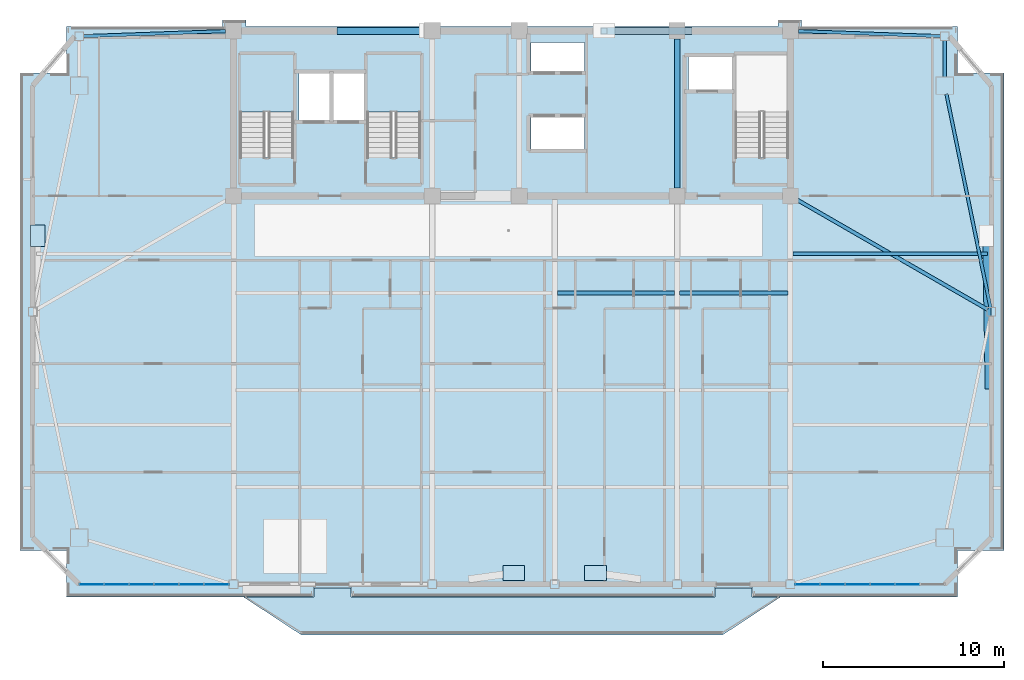
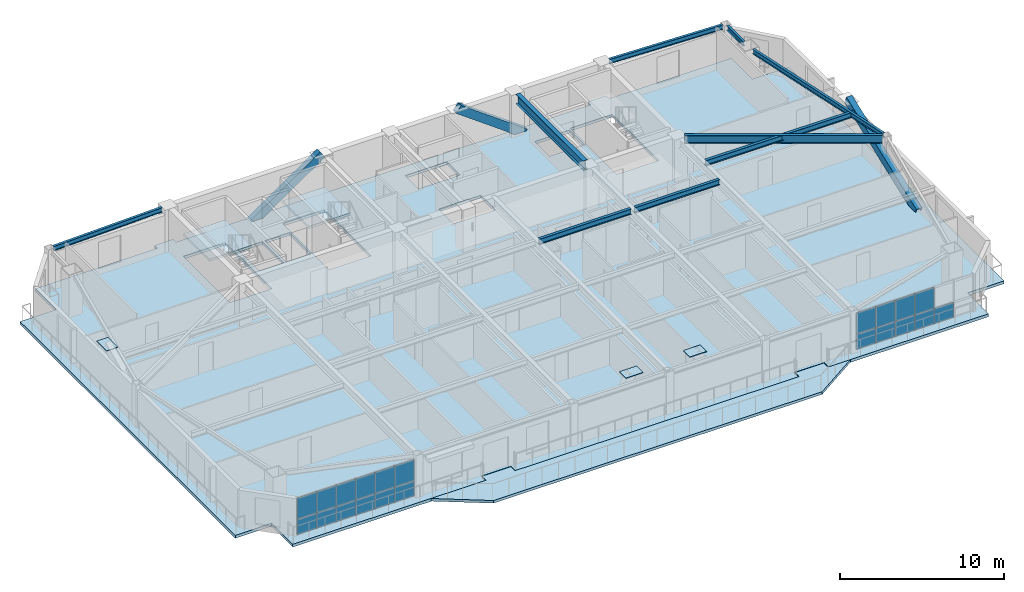
# One storey, part 7 of 18: 24 plates, 9 beams, 4 slabs, 3 members, 4 elements without a shape of their own.
"""IFC4 building model written with IfcOpenShell, lengths in metres."""

from ifc_helpers import new_model, si_unit, direction, frame, origin, origin_2d, place, context, subcontext, project, spatial, polyline, rectangle, hollow_rectangle, i_section, outline, extrude, source, transform, mapped, material, layer, layer_set, material_profile, profile_set, type_object, element, aggregate, save


model = new_model("IFC4")

# Units and contexts
model_context = context("Model", 3, precision=1e-05, world=origin(), true_north=direction((0.0, 1.0)))
body_context = subcontext(model_context, "Body", "Model", "MODEL_VIEW")
ifc_project = project(units=[si_unit("LENGTHUNIT", "METRE"), si_unit("AREAUNIT", "SQUARE_METRE"), si_unit("VOLUMEUNIT", "CUBIC_METRE"), si_unit("PLANEANGLEUNIT", "RADIAN"), si_unit("MASSUNIT", "GRAM", prefix="KILO")], contexts=[model_context])

# Site, building, storey
site_placement = place(None, origin())
site = spatial("IfcSite", under=ifc_project, at=site_placement, CompositionType="ELEMENT")
building_placement = place(site_placement, origin())
building = spatial("IfcBuilding", under=site, at=building_placement, Name="Giltprow Tower", CompositionType="ELEMENT")
storey_placement = place(building_placement, frame((0.0, 0.0, 262.10009765625)))
storey = spatial("IfcBuildingStorey", under=building, at=storey_placement, Name="L67", CompositionType="ELEMENT", Elevation=262.10009765625)

# Beams
ifc_material_1 = material(Name="Structural steel Q355B", Category="steel")
ifc_material_profile_1 = material_profile(ifc_material_1, i_section(OverallWidth=0.199951171875, OverallDepth=0.39990234375, WebThickness=0.008056640625, FlangeThickness=0.012939453125, at=origin_2d()), Name="HN 400x200x8x13")
ifc_profile_set_1 = profile_set([ifc_material_profile_1], Name="Structural steel Q355B")
beam_type_1 = type_object("IfcBeamType", Name="BM-JOIST-HN400", PredefinedType="JOIST", material=ifc_profile_set_1)
shared_shape_1 = source(origin(), body_context, "Body", "SweptSolid", [
    extrude(i_section(OverallWidth=0.199951171875, OverallDepth=0.39990234375, WebThickness=0.008056640625, FlangeThickness=0.012939453125, at=origin_2d()), origin(), (0.0, 0.0, 1.0), 6.4599609375),
])
beam_1_placement = place(storey_placement, frame((37.695068359375, 32.09912109375, 2.98486328125), z_axis=(1.0, 0.0, 0.0), x_axis=(0.0, 1.0, 0.0)))
element("IfcBeam", 1, at=beam_1_placement, inside=storey, type_object=beam_type_1, Name="L67 Composite Floor Joist 3-3", PredefinedType="JOIST", context=body_context, shape_type="MappedRepresentation", body=[
    mapped(shared_shape_1, transform((0.0, 0.0, 0.0), x_axis=(1.0, 0.0, 0.0), y_axis=(0.0, 1.0, 0.0), z_axis=(0.0, 0.0, 1.0), scale=1.0)),
])
shared_shape_2 = source(origin(), body_context, "Body", "SweptSolid", [
    extrude(i_section(OverallWidth=0.199951171875, OverallDepth=0.39990234375, WebThickness=0.008056640625, FlangeThickness=0.012939453125, at=origin_2d()), origin(), (0.0, 0.0, 1.0), 5.9599609375),
])
beam_2_placement = place(storey_placement, frame((44.445068359375, 32.09912109375, 2.98486328125), z_axis=(1.0, 0.0, 0.0), x_axis=(0.0, 1.0, 0.0)))
element("IfcBeam", 2, at=beam_2_placement, inside=storey, type_object=beam_type_1, Name="L67 Composite Floor Joist 3-4", PredefinedType="JOIST", context=body_context, shape_type="MappedRepresentation", body=[
    mapped(shared_shape_2, transform((0.0, 0.0, 0.0), x_axis=(1.0, 0.0, 0.0), y_axis=(0.0, 1.0, 0.0), z_axis=(0.0, 0.0, 1.0), scale=1.0)),
])
ifc_material_profile_2 = material_profile(ifc_material_1, i_section(OverallWidth=0.175048828125, OverallDepth=0.35009765625, WebThickness=0.007080078125, FlangeThickness=0.010986328125, at=origin_2d()), Name="HN 350x175x7x11")
ifc_profile_set_2 = profile_set([ifc_material_profile_2], Name="Structural steel Q355B")
beam_type_2 = type_object("IfcBeamType", Name="BM-SPAN-HN350", PredefinedType="SPANDREL", material=ifc_profile_set_2)
shared_shape_3 = source(origin(), body_context, "Body", "SweptSolid", [
    extrude(i_section(OverallWidth=0.175048828125, OverallDepth=0.35009765625, WebThickness=0.007080078125, FlangeThickness=0.010986328125, at=origin_2d()), origin(), (0.0, 0.0, 1.0), 12.000244140625),
])
beam_3_placement = place(storey_placement, frame((61.574951171875, 31.302001953125, 3.010009765625), z_axis=(-0.202000773979, 0.979385362006, 0.0), x_axis=(-0.979385362006, -0.202000773979, 0.0)))
element("IfcBeam", 3, at=beam_3_placement, inside=storey, type_object=beam_type_2, Name="L67 Perimeter Spandrel Beam E_MID-MC_NE", PredefinedType="SPANDREL", context=body_context, shape_type="MappedRepresentation", body=[
    mapped(shared_shape_3, transform((0.0, 0.0, 0.0), x_axis=(1.0, 0.0, 0.0), y_axis=(0.0, 1.0, 0.0), z_axis=(0.0, 0.0, 1.0), scale=1.0)),
])
shared_shape_4 = source(origin(), body_context, "Body", "SweptSolid", [
    extrude(i_section(OverallWidth=0.175048828125, OverallDepth=0.35009765625, WebThickness=0.007080078125, FlangeThickness=0.010986328125, at=origin_2d()), origin(), (0.0, 0.0, 1.0), 2.0),
])
beam_4_placement = place(storey_placement, frame((59.052978515625, 44.014892578125, 3.010009765625), z_axis=(0.0, 1.0, 0.0), x_axis=(-1.0, 0.0, 0.0)))
element("IfcBeam", 4, at=beam_4_placement, inside=storey, type_object=beam_type_2, Name="L67 Perimeter Spandrel Beam MC_NE-N_E", PredefinedType="SPANDREL", context=body_context, shape_type="MappedRepresentation", body=[
    mapped(shared_shape_4, transform((0.0, 0.0, 0.0), x_axis=(1.0, 0.0, 0.0), y_axis=(0.0, 1.0, 0.0), z_axis=(0.0, 0.0, 1.0), scale=1.0)),
])
shared_shape_5 = source(origin(), body_context, "Body", "SweptSolid", [
    extrude(i_section(OverallWidth=0.199951171875, OverallDepth=0.39990234375, WebThickness=0.008056640625, FlangeThickness=0.012939453125, at=origin_2d()), origin(), (0.0, 0.0, 1.0), 10.70703125),
])
beam_5_placement = place(storey_placement, frame((50.695068359375, 34.260986328125, 2.98486328125), z_axis=(1.0, 0.0, 0.0), x_axis=(0.0, 1.0, 0.0)))
element("IfcBeam", 5, at=beam_5_placement, inside=storey, type_object=beam_type_1, Name="L67 East Wing Floor Joist 2", PredefinedType="JOIST", context=body_context, shape_type="MappedRepresentation", body=[
    mapped(shared_shape_5, transform((0.0, 0.0, 0.0), x_axis=(1.0, 0.0, 0.0), y_axis=(0.0, 1.0, 0.0), z_axis=(0.0, 0.0, 1.0), scale=1.0)),
])
ifc_material_profile_3 = material_profile(ifc_material_1, i_section(OverallWidth=0.300048828125, OverallDepth=0.699951171875, WebThickness=0.012939453125, FlangeThickness=0.02392578125, at=origin_2d()), Name="HN 700x300x13x24")
ifc_profile_set_3 = profile_set([ifc_material_profile_3], Name="Structural steel Q355B")
beam_type_3 = type_object("IfcBeamType", Name="BM-GIRD-HN700", PredefinedType="BEAM", material=ifc_profile_set_3)
shared_shape_6 = source(origin(), body_context, "Body", "SweptSolid", [
    extrude(i_section(OverallWidth=0.300048828125, OverallDepth=0.699951171875, WebThickness=0.012939453125, FlangeThickness=0.02392578125, at=origin_2d()), origin(), (0.0, 0.0, 1.0), 8.22998046875),
])
beam_6_placement = place(storey_placement, frame((44.300048828125, 37.885009765625, 2.8349609375), z_axis=(0.0, 1.0, 0.0), x_axis=(-1.0, 0.0, 0.0)))
element("IfcBeam", 6, at=beam_6_placement, inside=storey, type_object=beam_type_3, Name="L67 Core Tie Girder M3", PredefinedType="BEAM", context=body_context, shape_type="MappedRepresentation", body=[
    mapped(shared_shape_6, transform((0.0, 0.0, 0.0), x_axis=(1.0, 0.0, 0.0), y_axis=(0.0, 1.0, 0.0), z_axis=(0.0, 0.0, 1.0), scale=1.0)),
])
shared_shape_7 = source(origin(), body_context, "Body", "SweptSolid", [
    extrude(i_section(OverallWidth=0.175048828125, OverallDepth=0.35009765625, WebThickness=0.007080078125, FlangeThickness=0.010986328125, at=origin_2d()), origin(), (0.0, 0.0, 1.0), 7.8369140625),
])
beam_7_placement = place(storey_placement, frame((11.5830078125, 46.258056640625, 3.010009765625), z_axis=(0.999375804521, 0.035327062417, 0.0), x_axis=(-0.035327062417, 0.999375804521, 0.0)))
element("IfcBeam", 7, at=beam_7_placement, inside=storey, type_object=beam_type_2, Name="L67 North Wing Spandrel W", PredefinedType="SPANDREL", context=body_context, shape_type="MappedRepresentation", body=[
    mapped(shared_shape_7, transform((0.0, 0.0, 0.0), x_axis=(1.0, 0.0, 0.0), y_axis=(0.0, 1.0, 0.0), z_axis=(0.0, 0.0, 1.0), scale=1.0)),
])
shared_shape_8 = source(origin(), body_context, "Body", "SweptSolid", [
    extrude(i_section(OverallWidth=0.175048828125, OverallDepth=0.35009765625, WebThickness=0.007080078125, FlangeThickness=0.010986328125, at=origin_2d()), origin(), (0.0, 0.0, 1.0), 7.837890625),
])
beam_8_placement = place(storey_placement, frame((50.985107421875, 46.534912109375, 3.010009765625), z_axis=(0.999375960005, -0.035322663591, 0.0), x_axis=(0.035322663591, 0.999375960005, 0.0)))
element("IfcBeam", 8, at=beam_8_placement, inside=storey, type_object=beam_type_2, Name="L67 North Wing Spandrel E", PredefinedType="SPANDREL", context=body_context, shape_type="MappedRepresentation", body=[
    mapped(shared_shape_8, transform((0.0, 0.0, 0.0), x_axis=(1.0, 0.0, 0.0), y_axis=(0.0, 1.0, 0.0), z_axis=(0.0, 0.0, 1.0), scale=1.0)),
])
ifc_material_profile_4 = material_profile(ifc_material_1, i_section(OverallWidth=0.199951171875, OverallDepth=0.60009765625, WebThickness=0.010986328125, FlangeThickness=0.01708984375, at=origin_2d()), Name="HN 600x200x11x17")
ifc_profile_set_4 = profile_set([ifc_material_profile_4], Name="Structural steel Q355B")
beam_type_4 = type_object("IfcBeamType", Name="BM-GIRD-HN600", PredefinedType="BEAM", material=ifc_profile_set_4)
shared_shape_9 = source(origin(), body_context, "Body", "SweptSolid", [
    extrude(i_section(OverallWidth=0.199951171875, OverallDepth=0.60009765625, WebThickness=0.010986328125, FlangeThickness=0.01708984375, at=origin_2d()), origin(), (0.0, 0.0, 1.0), 12.107421875),
])
beam_9_placement = place(storey_placement, frame((61.41796875, 31.18896484375, 2.885009765625), z_axis=(-0.86649057832, 0.499193427123, 0.0), x_axis=(-0.499193427123, -0.86649057832, 0.0)))
element("IfcBeam", 9, at=beam_9_placement, inside=storey, type_object=beam_type_4, Name="L67 East Wing Primary Girder", PredefinedType="BEAM", context=body_context, shape_type="MappedRepresentation", body=[
    mapped(shared_shape_9, transform((0.0, 0.0, 0.0), x_axis=(1.0, 0.0, 0.0), y_axis=(0.0, 1.0, 0.0), z_axis=(0.0, 0.0, 1.0), scale=1.0)),
])

# Members
ifc_material_2 = material(Name="Structural steel Q420GJC", Category="steel")
ifc_material_profile_5 = material_profile(ifc_material_2, hollow_rectangle(XDim=0.39990234375, YDim=0.60009765625, WallThickness=0.028076171875, at=origin_2d()), Name="RHS 600x400x28")
ifc_profile_set_5 = profile_set([ifc_material_profile_5], Name="Structural steel Q420GJC")
member_type = type_object("IfcMemberType", Name="MBR-MEGA-RHS600", PredefinedType="BRACE", material=ifc_profile_set_5)
shared_shape_10 = source(origin(), body_context, "Body", "SweptSolid", [
    extrude(hollow_rectangle(XDim=0.39990234375, YDim=0.60009765625, WallThickness=0.028076171875, at=origin_2d()), origin(), (0.0, 0.0, 1.0), 8.989990234375),
])
member_1_placement = place(storey_placement, frame((61.48388671875, 26.93505859375, 0.0), z_axis=(-0.015452442444, 0.925598586702, 0.3781910606), x_axis=(-0.999860675293, -0.016692213838, 0.0)))
element("IfcMember", 10, at=member_1_placement, inside=storey, type_object=member_type, Name="L67 Chevron Mega-Brace E-D", PredefinedType="BRACE", context=body_context, shape_type="MappedRepresentation", body=[
    mapped(shared_shape_10, transform((0.0, 0.0, 0.0), x_axis=(1.0, 0.0, 0.0), y_axis=(0.0, 1.0, 0.0), z_axis=(0.0, 0.0, 1.0), scale=1.0)),
])
shared_shape_11 = source(origin(), body_context, "Body", "SweptSolid", [
    extrude(hollow_rectangle(XDim=0.39990234375, YDim=0.60009765625, WallThickness=0.028076171875, at=origin_2d()), origin(), (0.0, 0.0, 1.0), 5.9921875),
])
member_2_placement = place(storey_placement, frame((25.73291015625, 46.550048828125, -0.14013671875), z_axis=(0.823420878969, 0.0, 0.567431102494), x_axis=(0.0, 1.0, 0.0)))
element("IfcMember", 11, at=member_2_placement, inside=storey, type_object=member_type, Name="L67 Chevron Mega-Brace N-L", PredefinedType="BRACE", context=body_context, shape_type="MappedRepresentation", body=[
    mapped(shared_shape_11, transform((0.0, 0.0, 0.0), x_axis=(1.0, 0.0, 0.0), y_axis=(0.0, 1.0, 0.0), z_axis=(0.0, 0.0, 1.0), scale=1.0)),
])
shared_shape_12 = source(origin(), body_context, "Body", "SweptSolid", [
    extrude(hollow_rectangle(XDim=0.39990234375, YDim=0.60009765625, WallThickness=0.028076171875, at=origin_2d()), origin(), (0.0, 0.0, 1.0), 5.7734375),
])
member_3_placement = place(storey_placement, frame((44.93310546875, 46.550048828125, -0.14013671875), z_axis=(-0.808185316057, 0.0, 0.588928259561), x_axis=(0.0, -1.0, 0.0)))
element("IfcMember", 12, at=member_3_placement, inside=storey, type_object=member_type, Name="L67 Chevron Mega-Brace N-R", PredefinedType="BRACE", context=body_context, shape_type="MappedRepresentation", body=[
    mapped(shared_shape_12, transform((0.0, 0.0, 0.0), x_axis=(1.0, 0.0, 0.0), y_axis=(0.0, 1.0, 0.0), z_axis=(0.0, 0.0, 1.0), scale=1.0)),
])

# Slabs
ifc_material_3 = material(Name="Concrete C40", Category="concrete")
ifc_layer_1 = layer(ifc_material_3, 0.199951171875, Name="Concrete C40")
ifc_layer_set_1 = layer_set([ifc_layer_1], Name="Concrete C40")
slab_type_1 = type_object("IfcSlabType", Name="SLB-BALC-BRONZE-200", PredefinedType="FLOOR", material=ifc_layer_set_1)
slab_1_placement = place(storey_placement, frame((0.0, 0.0, -0.2001953125)))
element("IfcSlab", 13, at=slab_1_placement, inside=storey, type_object=slab_type_1, Name="L67 Bronze Prow Waterfront Balcony Slab", PredefinedType="FLOOR", context=body_context, shape_type="SweptSolid", body=[
    extrude(outline(polyline([(50.0, 15.344970703125), (46.800048828125, 13.2451171875), (23.60009765625, 13.2451171875), (20.39990234375, 15.344970703125), (24.280029296875, 15.344970703125), (24.280029296875, 15.844970703125), (26.320068359375, 15.844970703125), (26.320068359375, 15.344970703125), (46.3798828125, 15.344970703125), (46.3798828125, 15.844970703125), (48.419921875, 15.844970703125), (48.419921875, 15.344970703125), (50.0, 15.344970703125)])), origin(), (0.0, 0.0, 1.0), 0.2001953125),
])
ifc_layer_2 = layer(ifc_material_3, 0.215087890625, Name="Concrete C40")
ifc_layer_set_2 = layer_set([ifc_layer_2], Name="Concrete C40")
slab_type_2 = type_object("IfcSlabType", Name="SLB-RES-215", PredefinedType="FLOOR", material=ifc_layer_set_2)
slab_2_placement = place(storey_placement, frame((0.0, 0.0, -0.215087890625)))
element("IfcSlab", 14, at=slab_2_placement, inside=storey, type_object=slab_type_2, Name="L67 Structural Composite Floor Slab", PredefinedType="FLOOR", context=body_context, shape_type="SweptSolid", body=[
    extrude(outline(polyline([(62.322021484375, 44.22998046875), (62.322021484375, 17.9130859375), (59.751953125, 17.9130859375), (59.751953125, 15.344970703125), (48.449951171875, 15.344970703125), (48.449951171875, 15.864990234375), (46.35009765625, 15.864990234375), (46.35009765625, 15.344970703125), (26.35009765625, 15.344970703125), (26.35009765625, 15.864990234375), (24.25, 15.864990234375), (24.25, 15.344970703125), (10.64794921875, 15.344970703125), (10.64794921875, 17.9130859375), (8.0791015625, 17.9130859375), (8.0791015625, 44.22998046875), (10.64794921875, 44.22998046875), (10.64794921875, 46.799072265625), (19.25, 46.799072265625), (19.25, 47.14990234375), (20.550048828125, 47.14990234375), (20.550048828125, 46.799072265625), (49.85009765625, 46.799072265625), (49.85009765625, 47.14990234375), (51.14990234375, 47.14990234375), (51.14990234375, 46.799072265625), (59.751953125, 46.799072265625), (59.751953125, 44.22998046875), (62.322021484375, 44.22998046875)]), holes=[polyline([(39.18994140625, 41.800048828125), (36.239990234375, 41.800048828125), (36.239990234375, 40.0), (39.18994140625, 40.0), (39.18994140625, 41.800048828125)]), polyline([(23.159912109375, 39.570068359375), (23.159912109375, 45.25), (20.199951171875, 45.25), (20.199951171875, 39.570068359375), (23.159912109375, 39.570068359375)]), polyline([(30.159912109375, 39.570068359375), (30.159912109375, 45.25), (27.199951171875, 45.25), (27.199951171875, 39.570068359375), (30.159912109375, 39.570068359375)]), polyline([(50.4599609375, 45.25), (47.5, 45.25), (47.5, 39.570068359375), (50.4599609375, 39.570068359375), (50.4599609375, 45.25)]), polyline([(25.169921875, 44.199951171875), (23.449951171875, 44.199951171875), (23.449951171875, 41.60009765625), (25.169921875, 41.60009765625), (25.169921875, 44.199951171875)]), polyline([(27.10009765625, 44.199951171875), (25.35009765625, 44.199951171875), (25.35009765625, 41.60009765625), (27.10009765625, 41.60009765625), (27.10009765625, 44.199951171875)]), polyline([(47.3798828125, 43.300048828125), (47.3798828125, 45.10009765625), (44.919921875, 45.10009765625), (44.919921875, 43.300048828125), (47.3798828125, 43.300048828125)]), polyline([(39.18994140625, 44.300048828125), (39.18994140625, 45.919921875), (36.239990234375, 45.919921875), (36.239990234375, 44.300048828125), (39.18994140625, 44.300048828125)])]), origin(), (0.0, 0.0, 1.0), 0.215087890625),
])

# Stair, slab
stair_type_1 = type_object("IfcStairType", Name="STR-ST-1", PredefinedType="HALF_TURN_STAIR", material=ifc_material_3)
stair_1_placement = place(storey_placement, origin())
stair_1 = element("IfcStair", 15, at=stair_1_placement, inside=storey, type_object=stair_type_1, Name="L67 Core Exit Stair ST-1", PredefinedType="HALF_TURN_STAIR")
ifc_layer_3 = layer(ifc_material_3, 0.179931640625, Name="Concrete C40")
ifc_layer_set_3 = layer_set([ifc_layer_3], Name="Concrete C40")
slab_type_3 = type_object("IfcSlabType", Name="SLD-ST-1", PredefinedType="LANDING", material=ifc_layer_set_3)
slab_3_placement = place(storey_placement, frame((0.0, 0.0, 1.52001953125)))
slab_3 = element("IfcSlab", 16, at=slab_3_placement, type_object=slab_type_3, Name="ST-1 landing 1", PredefinedType="LANDING", context=body_context, shape_type="SweptSolid", body=[
    extrude(outline(polyline([(23.159912109375, 42.070068359375), (23.159912109375, 45.25), (20.199951171875, 45.25), (20.199951171875, 42.070068359375), (23.159912109375, 42.070068359375)])), origin(), (0.0, 0.0, 1.0), 0.179931640625),
])
aggregate(stair_1, [slab_3])

stair_type_2 = type_object("IfcStairType", Name="STR-ST-2", PredefinedType="HALF_TURN_STAIR", material=ifc_material_3)
stair_2_placement = place(storey_placement, origin())
stair_2 = element("IfcStair", 17, at=stair_2_placement, inside=storey, type_object=stair_type_2, Name="L67 Core Exit Stair ST-2", PredefinedType="HALF_TURN_STAIR")
ifc_layer_4 = layer(ifc_material_3, 0.18798828125, Name="Concrete C40")
ifc_layer_set_4 = layer_set([ifc_layer_4], Name="Concrete C40")
slab_type_4 = type_object("IfcSlabType", Name="SLD-ST-2", PredefinedType="LANDING", material=ifc_layer_set_4)
slab_4_placement = place(storey_placement, frame((0.0, 0.0, 1.511962890625)))
slab_4 = element("IfcSlab", 18, at=slab_4_placement, type_object=slab_type_4, Name="ST-2 landing 1", PredefinedType="LANDING", context=body_context, shape_type="SweptSolid", body=[
    extrude(outline(polyline([(30.159912109375, 42.070068359375), (30.159912109375, 45.25), (27.199951171875, 45.25), (27.199951171875, 42.070068359375), (30.159912109375, 42.070068359375)])), origin(), (0.0, 0.0, 1.0), 0.18798828125),
])
aggregate(stair_2, [slab_4])

# Plates
plate_type_1 = type_object("IfcPlateType", Name="PLT-CAP-SEAL", PredefinedType="USERDEFINED", material=ifc_material_2)
shared_shape_13 = source(origin(), body_context, "Body", "SweptSolid", [
    extrude(rectangle(XDim=1.199951171875, YDim=0.800048828125, at=origin_2d()), origin(), (0.0, 0.0, 1.0), 0.034912109375),
])
for number, where, z_axis, x_axis, name in (
    (19, (35.300048828125, 16.666015625, 3.38232421875), (0.0, 0.0, 1.0), (1.0, 0.0, 0.0), "Mega-Brace Node L67-S-LB"),
    (20, (39.800048828125, 16.666015625, 3.38232421875), (0.0, 0.0, 1.0), (1.0, 0.0, 0.0), "Mega-Brace Node L67-S-RB"),
    (21, (9.055908203125, 35.256103515625, 3.38232421875), (0.0, 0.0, 1.0), (0.0, 1.0, 0.0), "Mega-Brace Node L67-W-DB"),
):
    element("IfcPlate", number, at=place(storey_placement, frame(where, z_axis=z_axis, x_axis=x_axis)), inside=storey, type_object=plate_type_1, Name=name, ObjectType="SPLICE", PredefinedType="USERDEFINED", context=body_context, shape_type="MappedRepresentation", body=[
        mapped(shared_shape_13, transform((0.0, 0.0, 0.0), x_axis=(1.0, 0.0, 0.0), y_axis=(0.0, 1.0, 0.0), z_axis=(0.0, 0.0, 1.0), scale=1.0)),
    ])

# Curtain wall, plates
ifc_material_4 = material(Name="Anodized bronze", Category="metal")
ifc_layer_5 = layer(ifc_material_4, 0.179931640625, Name="Anodized bronze")
ifc_layer_set_5 = layer_set([ifc_layer_5], Name="Anodized bronze")
curtain_wall_type = type_object("IfcCurtainWallType", Name="CW-RES-SKY", PredefinedType="NOTDEFINED", material=ifc_layer_set_5)
curtain_wall_1_placement = place(storey_placement, origin())
curtain_wall_1 = element("IfcCurtainWall", 22, at=curtain_wall_1_placement, inside=storey, type_object=curtain_wall_type, Name="L67 South Recessed Curtain Wall 1", PredefinedType="NOTDEFINED")
ifc_material_5 = material(Name="Insulated glass", Category="glass")
plate_type_2 = type_object("IfcPlateType", Name="CW-PANEL-IGU-28", PredefinedType="CURTAIN_PANEL", material=ifc_material_5)
shared_shape_14 = source(origin(), body_context, "Body", "SweptSolid", [
    extrude(rectangle(XDim=1.344970703125, YDim=0.028076171875, at=origin_2d()), origin(), (0.0, 0.0, 1.0), 1.114013671875),
])
plate_1_placement = place(storey_placement, frame((12.035888671875, 16.044921875, 0.0537109375), z_axis=(0.0, 0.0, 1.0), x_axis=(1.0, 0.0, 0.0)))
plate_1 = element("IfcPlate", 23, at=plate_1_placement, type_object=plate_type_2, Name="L67 South Recessed Curtain Wall 1 Glazing Panel 1-1", PredefinedType="CURTAIN_PANEL", context=body_context, shape_type="MappedRepresentation", body=[
    mapped(shared_shape_14, transform((0.0, 0.0, 0.0), x_axis=(1.0, 0.0, 0.0), y_axis=(0.0, 1.0, 0.0), z_axis=(0.0, 0.0, 1.0), scale=1.0)),
])
plate_2_placement = place(storey_placement, frame((13.410888671875, 16.044921875, 0.0537109375), z_axis=(0.0, 0.0, 1.0), x_axis=(1.0, 0.0, 0.0)))
plate_2 = element("IfcPlate", 24, at=plate_2_placement, type_object=plate_type_2, Name="L67 South Recessed Curtain Wall 1 Glazing Panel 2-1", PredefinedType="CURTAIN_PANEL", context=body_context, shape_type="MappedRepresentation", body=[
    mapped(shared_shape_14, transform((0.0, 0.0, 0.0), x_axis=(1.0, 0.0, 0.0), y_axis=(0.0, 1.0, 0.0), z_axis=(0.0, 0.0, 1.0), scale=1.0)),
])
plate_3_placement = place(storey_placement, frame((14.785888671875, 16.044921875, 0.0537109375), z_axis=(0.0, 0.0, 1.0), x_axis=(1.0, 0.0, 0.0)))
plate_3 = element("IfcPlate", 25, at=plate_3_placement, type_object=plate_type_2, Name="L67 South Recessed Curtain Wall 1 Glazing Panel 3-1", PredefinedType="CURTAIN_PANEL", context=body_context, shape_type="MappedRepresentation", body=[
    mapped(shared_shape_14, transform((0.0, 0.0, 0.0), x_axis=(1.0, 0.0, 0.0), y_axis=(0.0, 1.0, 0.0), z_axis=(0.0, 0.0, 1.0), scale=1.0)),
])
plate_4_placement = place(storey_placement, frame((16.162109375, 16.044921875, 0.0537109375), z_axis=(0.0, 0.0, 1.0), x_axis=(1.0, 0.0, 0.0)))
plate_4 = element("IfcPlate", 26, at=plate_4_placement, type_object=plate_type_2, Name="L67 South Recessed Curtain Wall 1 Glazing Panel 4-1", PredefinedType="CURTAIN_PANEL", context=body_context, shape_type="MappedRepresentation", body=[
    mapped(shared_shape_14, transform((0.0, 0.0, 0.0), x_axis=(1.0, 0.0, 0.0), y_axis=(0.0, 1.0, 0.0), z_axis=(0.0, 0.0, 1.0), scale=1.0)),
])
plate_5_placement = place(storey_placement, frame((17.537109375, 16.044921875, 0.0537109375), z_axis=(0.0, 0.0, 1.0), x_axis=(1.0, 0.0, 0.0)))
plate_5 = element("IfcPlate", 27, at=plate_5_placement, type_object=plate_type_2, Name="L67 South Recessed Curtain Wall 1 Glazing Panel 5-1", PredefinedType="CURTAIN_PANEL", context=body_context, shape_type="MappedRepresentation", body=[
    mapped(shared_shape_14, transform((0.0, 0.0, 0.0), x_axis=(1.0, 0.0, 0.0), y_axis=(0.0, 1.0, 0.0), z_axis=(0.0, 0.0, 1.0), scale=1.0)),
])
plate_6_placement = place(storey_placement, frame((18.912109375, 16.044921875, 0.0537109375), z_axis=(0.0, 0.0, 1.0), x_axis=(1.0, 0.0, 0.0)))
plate_6 = element("IfcPlate", 28, at=plate_6_placement, type_object=plate_type_2, Name="L67 South Recessed Curtain Wall 1 Glazing Panel 6-1", PredefinedType="CURTAIN_PANEL", context=body_context, shape_type="MappedRepresentation", body=[
    mapped(shared_shape_14, transform((0.0, 0.0, 0.0), x_axis=(1.0, 0.0, 0.0), y_axis=(0.0, 1.0, 0.0), z_axis=(0.0, 0.0, 1.0), scale=1.0)),
])

# Curtain wall, plate
curtain_wall_2_placement = place(storey_placement, origin())
curtain_wall_2 = element("IfcCurtainWall", 29, at=curtain_wall_2_placement, inside=storey, type_object=curtain_wall_type, Name="L67 South Recessed Curtain Wall 6", PredefinedType="NOTDEFINED")
plate_7_placement = place(storey_placement, frame((51.488037109375, 16.044921875, 0.0537109375), z_axis=(0.0, 0.0, 1.0), x_axis=(1.0, 0.0, 0.0)))
plate_7 = element("IfcPlate", 30, at=plate_7_placement, type_object=plate_type_2, Name="L67 South Recessed Curtain Wall 6 Glazing Panel 1-1", PredefinedType="CURTAIN_PANEL", context=body_context, shape_type="MappedRepresentation", body=[
    mapped(shared_shape_14, transform((0.0, 0.0, 0.0), x_axis=(1.0, 0.0, 0.0), y_axis=(0.0, 1.0, 0.0), z_axis=(0.0, 0.0, 1.0), scale=1.0)),
])

# Plate
shared_shape_15 = source(origin(), body_context, "Body", "SweptSolid", [
    extrude(rectangle(XDim=1.344970703125, YDim=0.028076171875, at=origin_2d()), origin(), (0.0, 0.0, 1.0), 1.56494140625),
])
plate_8_placement = place(storey_placement, frame((12.035888671875, 16.044921875, 1.1953125), z_axis=(0.0, 0.0, 1.0), x_axis=(1.0, 0.0, 0.0)))
plate_8 = element("IfcPlate", 31, at=plate_8_placement, type_object=plate_type_2, Name="L67 South Recessed Curtain Wall 1 Glazing Panel 1-2", PredefinedType="CURTAIN_PANEL", context=body_context, shape_type="MappedRepresentation", body=[
    mapped(shared_shape_15, transform((0.0, 0.0, 0.0), x_axis=(1.0, 0.0, 0.0), y_axis=(0.0, 1.0, 0.0), z_axis=(0.0, 0.0, 1.0), scale=1.0)),
])

plate_9_placement = place(storey_placement, frame((13.410888671875, 16.044921875, 1.1953125), z_axis=(0.0, 0.0, 1.0), x_axis=(1.0, 0.0, 0.0)))
plate_9 = element("IfcPlate", 32, at=plate_9_placement, type_object=plate_type_2, Name="L67 South Recessed Curtain Wall 1 Glazing Panel 2-2", PredefinedType="CURTAIN_PANEL", context=body_context, shape_type="MappedRepresentation", body=[
    mapped(shared_shape_15, transform((0.0, 0.0, 0.0), x_axis=(1.0, 0.0, 0.0), y_axis=(0.0, 1.0, 0.0), z_axis=(0.0, 0.0, 1.0), scale=1.0)),
])

plate_10_placement = place(storey_placement, frame((14.785888671875, 16.044921875, 1.1953125), z_axis=(0.0, 0.0, 1.0), x_axis=(1.0, 0.0, 0.0)))
plate_10 = element("IfcPlate", 33, at=plate_10_placement, type_object=plate_type_2, Name="L67 South Recessed Curtain Wall 1 Glazing Panel 3-2", PredefinedType="CURTAIN_PANEL", context=body_context, shape_type="MappedRepresentation", body=[
    mapped(shared_shape_15, transform((0.0, 0.0, 0.0), x_axis=(1.0, 0.0, 0.0), y_axis=(0.0, 1.0, 0.0), z_axis=(0.0, 0.0, 1.0), scale=1.0)),
])

plate_11_placement = place(storey_placement, frame((16.162109375, 16.044921875, 1.1953125), z_axis=(0.0, 0.0, 1.0), x_axis=(1.0, 0.0, 0.0)))
plate_11 = element("IfcPlate", 34, at=plate_11_placement, type_object=plate_type_2, Name="L67 South Recessed Curtain Wall 1 Glazing Panel 4-2", PredefinedType="CURTAIN_PANEL", context=body_context, shape_type="MappedRepresentation", body=[
    mapped(shared_shape_15, transform((0.0, 0.0, 0.0), x_axis=(1.0, 0.0, 0.0), y_axis=(0.0, 1.0, 0.0), z_axis=(0.0, 0.0, 1.0), scale=1.0)),
])

plate_12_placement = place(storey_placement, frame((17.537109375, 16.044921875, 1.1953125), z_axis=(0.0, 0.0, 1.0), x_axis=(1.0, 0.0, 0.0)))
plate_12 = element("IfcPlate", 35, at=plate_12_placement, type_object=plate_type_2, Name="L67 South Recessed Curtain Wall 1 Glazing Panel 5-2", PredefinedType="CURTAIN_PANEL", context=body_context, shape_type="MappedRepresentation", body=[
    mapped(shared_shape_15, transform((0.0, 0.0, 0.0), x_axis=(1.0, 0.0, 0.0), y_axis=(0.0, 1.0, 0.0), z_axis=(0.0, 0.0, 1.0), scale=1.0)),
])

plate_13_placement = place(storey_placement, frame((18.912109375, 16.044921875, 1.1953125), z_axis=(0.0, 0.0, 1.0), x_axis=(1.0, 0.0, 0.0)))
plate_13 = element("IfcPlate", 36, at=plate_13_placement, type_object=plate_type_2, Name="L67 South Recessed Curtain Wall 1 Glazing Panel 6-2", PredefinedType="CURTAIN_PANEL", context=body_context, shape_type="MappedRepresentation", body=[
    mapped(shared_shape_15, transform((0.0, 0.0, 0.0), x_axis=(1.0, 0.0, 0.0), y_axis=(0.0, 1.0, 0.0), z_axis=(0.0, 0.0, 1.0), scale=1.0)),
])

aggregate(curtain_wall_1, [plate_1, plate_8, plate_2, plate_9, plate_3, plate_10, plate_4, plate_11, plate_5, plate_12, plate_6, plate_13])

plate_14_placement = place(storey_placement, frame((51.488037109375, 16.044921875, 1.1953125), z_axis=(0.0, 0.0, 1.0), x_axis=(1.0, 0.0, 0.0)))
plate_14 = element("IfcPlate", 37, at=plate_14_placement, type_object=plate_type_2, Name="L67 South Recessed Curtain Wall 6 Glazing Panel 1-2", PredefinedType="CURTAIN_PANEL", context=body_context, shape_type="MappedRepresentation", body=[
    mapped(shared_shape_15, transform((0.0, 0.0, 0.0), x_axis=(1.0, 0.0, 0.0), y_axis=(0.0, 1.0, 0.0), z_axis=(0.0, 0.0, 1.0), scale=1.0)),
])

shared_shape_16 = source(origin(), body_context, "Body", "SweptSolid", [
    extrude(rectangle(XDim=1.345947265625, YDim=0.028076171875, at=origin_2d()), origin(), (0.0, 0.0, 1.0), 1.114013671875),
])
plate_15_placement = place(storey_placement, frame((52.863037109375, 16.044921875, 0.0537109375), z_axis=(0.0, 0.0, 1.0), x_axis=(1.0, 0.0, 0.0)))
plate_15 = element("IfcPlate", 38, at=plate_15_placement, type_object=plate_type_2, Name="L67 South Recessed Curtain Wall 6 Glazing Panel 2-1", PredefinedType="CURTAIN_PANEL", context=body_context, shape_type="MappedRepresentation", body=[
    mapped(shared_shape_16, transform((0.0, 0.0, 0.0), x_axis=(1.0, 0.0, 0.0), y_axis=(0.0, 1.0, 0.0), z_axis=(0.0, 0.0, 1.0), scale=1.0)),
])

plate_16_placement = place(storey_placement, frame((54.239013671875, 16.044921875, 0.0537109375), z_axis=(0.0, 0.0, 1.0), x_axis=(1.0, 0.0, 0.0)))
plate_16 = element("IfcPlate", 39, at=plate_16_placement, type_object=plate_type_2, Name="L67 South Recessed Curtain Wall 6 Glazing Panel 3-1", PredefinedType="CURTAIN_PANEL", context=body_context, shape_type="MappedRepresentation", body=[
    mapped(shared_shape_16, transform((0.0, 0.0, 0.0), x_axis=(1.0, 0.0, 0.0), y_axis=(0.0, 1.0, 0.0), z_axis=(0.0, 0.0, 1.0), scale=1.0)),
])

plate_17_placement = place(storey_placement, frame((55.614013671875, 16.044921875, 0.0537109375), z_axis=(0.0, 0.0, 1.0), x_axis=(1.0, 0.0, 0.0)))
plate_17 = element("IfcPlate", 40, at=plate_17_placement, type_object=plate_type_2, Name="L67 South Recessed Curtain Wall 6 Glazing Panel 4-1", PredefinedType="CURTAIN_PANEL", context=body_context, shape_type="MappedRepresentation", body=[
    mapped(shared_shape_16, transform((0.0, 0.0, 0.0), x_axis=(1.0, 0.0, 0.0), y_axis=(0.0, 1.0, 0.0), z_axis=(0.0, 0.0, 1.0), scale=1.0)),
])

plate_18_placement = place(storey_placement, frame((56.989990234375, 16.044921875, 0.0537109375), z_axis=(0.0, 0.0, 1.0), x_axis=(1.0, 0.0, 0.0)))
plate_18 = element("IfcPlate", 41, at=plate_18_placement, type_object=plate_type_2, Name="L67 South Recessed Curtain Wall 6 Glazing Panel 5-1", PredefinedType="CURTAIN_PANEL", context=body_context, shape_type="MappedRepresentation", body=[
    mapped(shared_shape_16, transform((0.0, 0.0, 0.0), x_axis=(1.0, 0.0, 0.0), y_axis=(0.0, 1.0, 0.0), z_axis=(0.0, 0.0, 1.0), scale=1.0)),
])

shared_shape_17 = source(origin(), body_context, "Body", "SweptSolid", [
    extrude(rectangle(XDim=1.345947265625, YDim=0.028076171875, at=origin_2d()), origin(), (0.0, 0.0, 1.0), 1.56494140625),
])
plate_19_placement = place(storey_placement, frame((52.863037109375, 16.044921875, 1.1953125), z_axis=(0.0, 0.0, 1.0), x_axis=(1.0, 0.0, 0.0)))
plate_19 = element("IfcPlate", 42, at=plate_19_placement, type_object=plate_type_2, Name="L67 South Recessed Curtain Wall 6 Glazing Panel 2-2", PredefinedType="CURTAIN_PANEL", context=body_context, shape_type="MappedRepresentation", body=[
    mapped(shared_shape_17, transform((0.0, 0.0, 0.0), x_axis=(1.0, 0.0, 0.0), y_axis=(0.0, 1.0, 0.0), z_axis=(0.0, 0.0, 1.0), scale=1.0)),
])

plate_20_placement = place(storey_placement, frame((54.239013671875, 16.044921875, 1.1953125), z_axis=(0.0, 0.0, 1.0), x_axis=(1.0, 0.0, 0.0)))
plate_20 = element("IfcPlate", 43, at=plate_20_placement, type_object=plate_type_2, Name="L67 South Recessed Curtain Wall 6 Glazing Panel 3-2", PredefinedType="CURTAIN_PANEL", context=body_context, shape_type="MappedRepresentation", body=[
    mapped(shared_shape_17, transform((0.0, 0.0, 0.0), x_axis=(1.0, 0.0, 0.0), y_axis=(0.0, 1.0, 0.0), z_axis=(0.0, 0.0, 1.0), scale=1.0)),
])

plate_21_placement = place(storey_placement, frame((55.614013671875, 16.044921875, 1.1953125), z_axis=(0.0, 0.0, 1.0), x_axis=(1.0, 0.0, 0.0)))
plate_21 = element("IfcPlate", 44, at=plate_21_placement, type_object=plate_type_2, Name="L67 South Recessed Curtain Wall 6 Glazing Panel 4-2", PredefinedType="CURTAIN_PANEL", context=body_context, shape_type="MappedRepresentation", body=[
    mapped(shared_shape_17, transform((0.0, 0.0, 0.0), x_axis=(1.0, 0.0, 0.0), y_axis=(0.0, 1.0, 0.0), z_axis=(0.0, 0.0, 1.0), scale=1.0)),
])

aggregate(curtain_wall_2, [plate_7, plate_14, plate_15, plate_19, plate_16, plate_20, plate_17, plate_21, plate_18])

save(model, "model.ifc")
